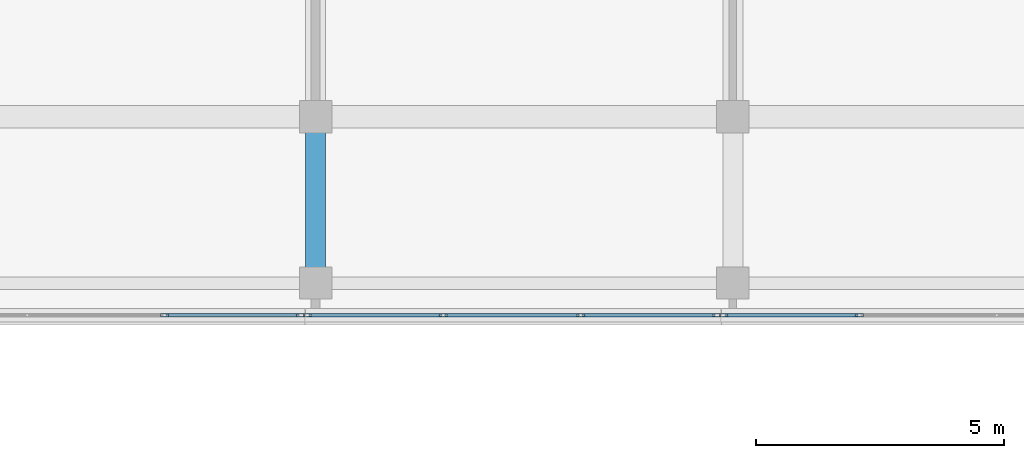
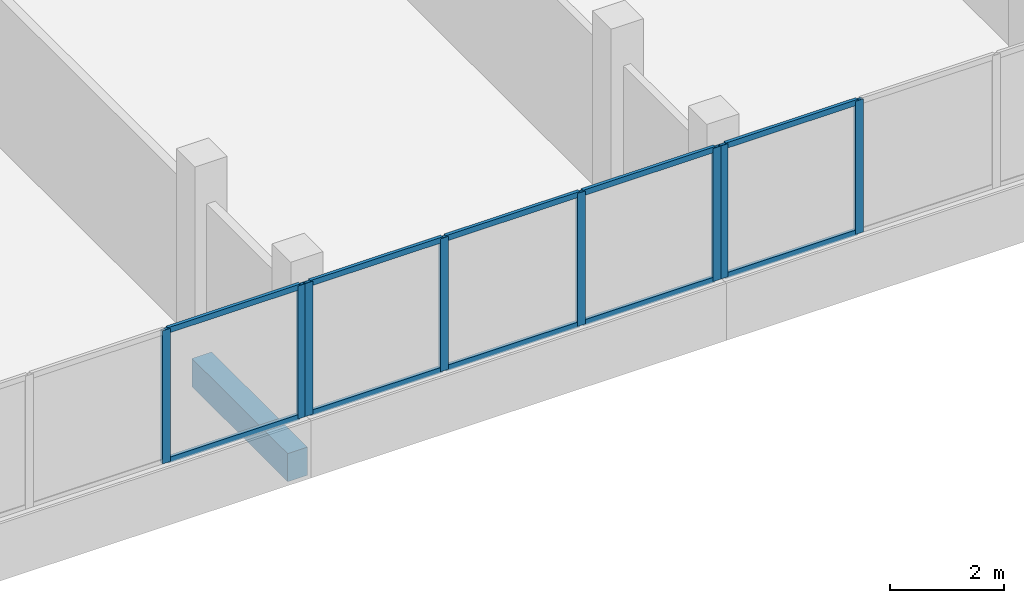
# One storey, part 31 of 76: 18 members, 1 beam, 3 elements without a shape of their own.
"""IFC4 building model written with IfcOpenShell, lengths in metres."""

from ifc_helpers import new_model, si_unit, direction, frame, origin, origin_2d, place, context, subcontext, project, spatial, rectangle, hollow_rectangle, extrude, material, material_profile, profile_set, type_object, element, aggregate, save


model = new_model("IFC4")

# Units and contexts
model_context = context("Model", 3, precision=1e-05, world=origin(), true_north=direction((0.0, 1.0)))
body_context = subcontext(model_context, "Body", "Model", "MODEL_VIEW")
ifc_project = project(units=[si_unit("LENGTHUNIT", "METRE"), si_unit("AREAUNIT", "SQUARE_METRE"), si_unit("VOLUMEUNIT", "CUBIC_METRE"), si_unit("PLANEANGLEUNIT", "RADIAN"), si_unit("MASSUNIT", "GRAM", prefix="KILO")], contexts=[model_context])

# Site, building, storey
site_placement = place(None, origin())
site = spatial("IfcSite", under=ifc_project, at=site_placement, CompositionType="ELEMENT")
building_placement = place(site_placement, origin())
building = spatial("IfcBuilding", under=site, at=building_placement, Name="Selatvlak General Hospital", CompositionType="ELEMENT")
storey_placement = place(building_placement, frame((0.0, 0.0, 27.300048828125)))
storey = spatial("IfcBuildingStorey", under=building, at=storey_placement, Name="L06", CompositionType="ELEMENT", Elevation=27.300048828125)

# Beam
ifc_material_1 = material(Name="Concrete C40/50", Category="concrete")
ifc_material_profile_1 = material_profile(ifc_material_1, rectangle(XDim=0.39990234375, YDim=0.60009765625, at=origin_2d()), Name="RC-BM 400x600")
ifc_profile_set_1 = profile_set([ifc_material_profile_1], Name="Concrete C40/50")
beam_type = type_object("IfcBeamType", Name="BM-G05", PredefinedType="BEAM", material=ifc_profile_set_1)
beam_placement = place(storey_placement, frame((106.800048828125, 88.64990234375, -0.574951171875), z_axis=(0.0, 1.0, 0.0), x_axis=(-1.0, 0.0, 0.0)))
element("IfcBeam", 1, at=beam_placement, inside=storey, type_object=beam_type, Name="Beam BMR-L06-2293", PredefinedType="BEAM", context=body_context, shape_type="SweptSolid", body=[
    extrude(rectangle(XDim=0.39990234375, YDim=0.60009765625, at=origin_2d()), origin(), (0.0, 0.0, 1.0), 3.35009765625),
])

# Curtain wall, members
ifc_material_2 = material(Name="Solar-control Low-E double glazing", Category="glass")
curtain_wall_type_1 = type_object("IfcCurtainWallType", Name="CW-CW-01", PredefinedType="USERDEFINED", material=ifc_material_2)
curtain_wall_1_placement = place(storey_placement, origin())
curtain_wall_1 = element("IfcCurtainWall", 2, at=curtain_wall_1_placement, inside=storey, type_object=curtain_wall_type_1, Name="Glazed facade curtain wall CW-L06-0627", ObjectType="UNITISED CURTAIN WALL", PredefinedType="USERDEFINED")
ifc_material_3 = material(Name="Dark anodised aluminium mullion", Category="aluminium")
ifc_material_profile_2 = material_profile(ifc_material_3, hollow_rectangle(XDim=0.06494140625, YDim=0.159912109375, WallThickness=0.00390625, at=origin_2d()), Name="AL-MUL 65x160x4")
ifc_profile_set_2 = profile_set([ifc_material_profile_2], Name="Dark anodised aluminium mullion")
member_type_1 = type_object("IfcMemberType", Name="CWM-01", PredefinedType="MULLION", material=ifc_profile_set_2)
member_1_placement = place(storey_placement, frame((117.749267578125, 88.0009765625, 0.93994140625), z_axis=(0.0, 0.0, 1.0), x_axis=(0.0, -1.0, 0.0)))
member_1 = element("IfcMember", 3, at=member_1_placement, type_object=member_type_1, Name="CW-01 mullion 3", PredefinedType="MULLION", context=body_context, shape_type="SweptSolid", body=[
    extrude(hollow_rectangle(XDim=0.06494140625, YDim=0.159912109375, WallThickness=0.00390625, at=origin_2d()), origin(), (0.0, 0.0, 1.0), 2.840087890625),
])
member_2_placement = place(storey_placement, frame((115.015380859375, 88.0009765625, 0.93994140625), z_axis=(0.0, 0.0, 1.0), x_axis=(0.0, -1.0, 0.0)))
member_2 = element("IfcMember", 4, at=member_2_placement, type_object=member_type_1, Name="CW-01 mullion 4", PredefinedType="MULLION", context=body_context, shape_type="SweptSolid", body=[
    extrude(hollow_rectangle(XDim=0.06494140625, YDim=0.159912109375, WallThickness=0.00390625, at=origin_2d()), origin(), (0.0, 0.0, 1.0), 2.840087890625),
])

curtain_wall_type_2 = type_object("IfcCurtainWallType", Name="CW-CW-02", PredefinedType="USERDEFINED", material=ifc_material_2)
curtain_wall_2_placement = place(storey_placement, origin())
curtain_wall_2 = element("IfcCurtainWall", 5, at=curtain_wall_2_placement, inside=storey, type_object=curtain_wall_type_2, Name="Glazed facade curtain wall CW-L06-0628", ObjectType="UNITISED CURTAIN WALL", PredefinedType="USERDEFINED")
member_3_placement = place(storey_placement, frame((114.87060546875, 88.0009765625, 0.93994140625), z_axis=(0.0, 0.0, 1.0), x_axis=(0.0, -1.0, 0.0)))
member_3 = element("IfcMember", 6, at=member_3_placement, type_object=member_type_1, Name="CW-02 mullion 1", PredefinedType="MULLION", context=body_context, shape_type="SweptSolid", body=[
    extrude(hollow_rectangle(XDim=0.06494140625, YDim=0.159912109375, WallThickness=0.00390625, at=origin_2d()), origin(), (0.0, 0.0, 1.0), 2.840087890625),
])
member_4_placement = place(storey_placement, frame((112.13671875, 88.0009765625, 0.93994140625), z_axis=(0.0, 0.0, 1.0), x_axis=(0.0, -1.0, 0.0)))
member_4 = element("IfcMember", 7, at=member_4_placement, type_object=member_type_1, Name="CW-02 mullion 2", PredefinedType="MULLION", context=body_context, shape_type="SweptSolid", body=[
    extrude(hollow_rectangle(XDim=0.06494140625, YDim=0.159912109375, WallThickness=0.00390625, at=origin_2d()), origin(), (0.0, 0.0, 1.0), 2.840087890625),
])
member_5_placement = place(storey_placement, frame((109.370361328125, 88.0009765625, 0.93994140625), z_axis=(0.0, 0.0, 1.0), x_axis=(0.0, -1.0, 0.0)))
member_5 = element("IfcMember", 8, at=member_5_placement, type_object=member_type_1, Name="CW-02 mullion 3", PredefinedType="MULLION", context=body_context, shape_type="SweptSolid", body=[
    extrude(hollow_rectangle(XDim=0.06494140625, YDim=0.159912109375, WallThickness=0.00390625, at=origin_2d()), origin(), (0.0, 0.0, 1.0), 2.840087890625),
])
member_6_placement = place(storey_placement, frame((106.636474609375, 88.0009765625, 0.93994140625), z_axis=(0.0, 0.0, 1.0), x_axis=(0.0, -1.0, 0.0)))
member_6 = element("IfcMember", 9, at=member_6_placement, type_object=member_type_1, Name="CW-02 mullion 4", PredefinedType="MULLION", context=body_context, shape_type="SweptSolid", body=[
    extrude(hollow_rectangle(XDim=0.06494140625, YDim=0.159912109375, WallThickness=0.00390625, at=origin_2d()), origin(), (0.0, 0.0, 1.0), 2.840087890625),
])

curtain_wall_3_placement = place(storey_placement, origin())
curtain_wall_3 = element("IfcCurtainWall", 10, at=curtain_wall_3_placement, inside=storey, type_object=curtain_wall_type_1, Name="Glazed facade curtain wall CW-L06-0629", ObjectType="UNITISED CURTAIN WALL", PredefinedType="USERDEFINED")
member_7_placement = place(storey_placement, frame((106.491455078125, 88.0009765625, 0.93994140625), z_axis=(0.0, 0.0, 1.0), x_axis=(0.00012051097, -0.999999992739, 0.0)))
member_7 = element("IfcMember", 11, at=member_7_placement, type_object=member_type_1, Name="CW-01 mullion 1", PredefinedType="MULLION", context=body_context, shape_type="SweptSolid", body=[
    extrude(hollow_rectangle(XDim=0.06494140625, YDim=0.159912109375, WallThickness=0.00390625, at=origin_2d()), origin(), (0.0, 0.0, 1.0), 2.840087890625),
])
member_8_placement = place(storey_placement, frame((103.758056640625, 88.000732421875, 0.93994140625), z_axis=(0.0, 0.0, 1.0), x_axis=(0.00012051097, -0.999999992739, 0.0)))
member_8 = element("IfcMember", 12, at=member_8_placement, type_object=member_type_1, Name="CW-01 mullion 2", PredefinedType="MULLION", context=body_context, shape_type="SweptSolid", body=[
    extrude(hollow_rectangle(XDim=0.06494140625, YDim=0.159912109375, WallThickness=0.00390625, at=origin_2d()), origin(), (0.0, 0.0, 1.0), 2.840087890625),
])

# Member
ifc_material_profile_3 = material_profile(ifc_material_3, hollow_rectangle(XDim=0.06494140625, YDim=0.1201171875, WallThickness=0.00390625, at=origin_2d()), Name="AL-TRN 65x120x4")
ifc_profile_set_3 = profile_set([ifc_material_profile_3], Name="Dark anodised aluminium mullion")
member_type_2 = type_object("IfcMemberType", Name="CWT-01", PredefinedType="USERDEFINED", material=ifc_profile_set_3)
member_9_placement = place(storey_placement, frame((117.716796875, 88.0009765625, 0.972412109375), z_axis=(-1.0, 0.0, 0.0), x_axis=(0.0, -1.0, 0.0)))
member_9 = element("IfcMember", 13, at=member_9_placement, type_object=member_type_2, Name="CW-01 transom 3.1", ObjectType="TRANSOM", PredefinedType="USERDEFINED", context=body_context, shape_type="SweptSolid", body=[
    extrude(hollow_rectangle(XDim=0.06494140625, YDim=0.1201171875, WallThickness=0.00390625, at=origin_2d()), origin(), (0.0, 0.0, 1.0), 2.668701171875),
])

member_10_placement = place(storey_placement, frame((117.716796875, 88.0009765625, 3.74755859375), z_axis=(-1.0, 0.0, 0.0), x_axis=(0.0, -1.0, 0.0)))
member_10 = element("IfcMember", 14, at=member_10_placement, type_object=member_type_2, Name="CW-01 transom 3.2", ObjectType="TRANSOM", PredefinedType="USERDEFINED", context=body_context, shape_type="SweptSolid", body=[
    extrude(hollow_rectangle(XDim=0.06494140625, YDim=0.1201171875, WallThickness=0.00390625, at=origin_2d()), origin(), (0.0, 0.0, 1.0), 2.668701171875),
])

aggregate(curtain_wall_1, [member_1, member_2, member_9, member_10])

member_11_placement = place(storey_placement, frame((114.837890625, 88.0009765625, 0.972412109375), z_axis=(-1.0, 0.0, 0.0), x_axis=(0.0, -1.0, 0.0)))
member_11 = element("IfcMember", 15, at=member_11_placement, type_object=member_type_2, Name="CW-02 transom 1.1", ObjectType="TRANSOM", PredefinedType="USERDEFINED", context=body_context, shape_type="SweptSolid", body=[
    extrude(hollow_rectangle(XDim=0.06494140625, YDim=0.1201171875, WallThickness=0.00390625, at=origin_2d()), origin(), (0.0, 0.0, 1.0), 2.668701171875),
])

member_12_placement = place(storey_placement, frame((114.837890625, 88.0009765625, 3.74755859375), z_axis=(-1.0, 0.0, 0.0), x_axis=(0.0, -1.0, 0.0)))
member_12 = element("IfcMember", 16, at=member_12_placement, type_object=member_type_2, Name="CW-02 transom 1.2", ObjectType="TRANSOM", PredefinedType="USERDEFINED", context=body_context, shape_type="SweptSolid", body=[
    extrude(hollow_rectangle(XDim=0.06494140625, YDim=0.1201171875, WallThickness=0.00390625, at=origin_2d()), origin(), (0.0, 0.0, 1.0), 2.668701171875),
])

member_13_placement = place(storey_placement, frame((112.104248046875, 88.0009765625, 0.972412109375), z_axis=(-1.0, 0.0, 0.0), x_axis=(0.0, -1.0, 0.0)))
member_13 = element("IfcMember", 17, at=member_13_placement, type_object=member_type_2, Name="CW-02 transom 2.1", ObjectType="TRANSOM", PredefinedType="USERDEFINED", context=body_context, shape_type="SweptSolid", body=[
    extrude(hollow_rectangle(XDim=0.06494140625, YDim=0.1201171875, WallThickness=0.00390625, at=origin_2d()), origin(), (0.0, 0.0, 1.0), 2.701416015625),
])

member_14_placement = place(storey_placement, frame((112.104248046875, 88.0009765625, 3.74755859375), z_axis=(-1.0, 0.0, 0.0), x_axis=(0.0, -1.0, 0.0)))
member_14 = element("IfcMember", 18, at=member_14_placement, type_object=member_type_2, Name="CW-02 transom 2.2", ObjectType="TRANSOM", PredefinedType="USERDEFINED", context=body_context, shape_type="SweptSolid", body=[
    extrude(hollow_rectangle(XDim=0.06494140625, YDim=0.1201171875, WallThickness=0.00390625, at=origin_2d()), origin(), (0.0, 0.0, 1.0), 2.701416015625),
])

member_15_placement = place(storey_placement, frame((109.337890625, 88.0009765625, 0.972412109375), z_axis=(-1.0, 0.0, 0.0), x_axis=(0.0, -1.0, 0.0)))
member_15 = element("IfcMember", 19, at=member_15_placement, type_object=member_type_2, Name="CW-02 transom 3.1", ObjectType="TRANSOM", PredefinedType="USERDEFINED", context=body_context, shape_type="SweptSolid", body=[
    extrude(hollow_rectangle(XDim=0.06494140625, YDim=0.1201171875, WallThickness=0.00390625, at=origin_2d()), origin(), (0.0, 0.0, 1.0), 2.6689453125),
])

member_16_placement = place(storey_placement, frame((109.337890625, 88.0009765625, 3.74755859375), z_axis=(-1.0, 0.0, 0.0), x_axis=(0.0, -1.0, 0.0)))
member_16 = element("IfcMember", 20, at=member_16_placement, type_object=member_type_2, Name="CW-02 transom 3.2", ObjectType="TRANSOM", PredefinedType="USERDEFINED", context=body_context, shape_type="SweptSolid", body=[
    extrude(hollow_rectangle(XDim=0.06494140625, YDim=0.1201171875, WallThickness=0.00390625, at=origin_2d()), origin(), (0.0, 0.0, 1.0), 2.6689453125),
])

aggregate(curtain_wall_2, [member_3, member_4, member_5, member_6, member_11, member_12, member_13, member_14, member_15, member_16])

member_17_placement = place(storey_placement, frame((106.458984375, 88.0009765625, 0.972412109375), z_axis=(-0.999999995815, -9.1491308e-05, 0.0), x_axis=(9.1491308e-05, -0.999999995815, 0.0)))
member_17 = element("IfcMember", 21, at=member_17_placement, type_object=member_type_2, Name="CW-01 transom 1.1", ObjectType="TRANSOM", PredefinedType="USERDEFINED", context=body_context, shape_type="SweptSolid", body=[
    extrude(hollow_rectangle(XDim=0.06494140625, YDim=0.1201171875, WallThickness=0.00390625, at=origin_2d()), origin(), (0.0, 0.0, 1.0), 2.66845703125),
])

member_18_placement = place(storey_placement, frame((106.458984375, 88.0009765625, 3.74755859375), z_axis=(-0.999999995815, -9.1491308e-05, 0.0), x_axis=(9.1491308e-05, -0.999999995815, 0.0)))
member_18 = element("IfcMember", 22, at=member_18_placement, type_object=member_type_2, Name="CW-01 transom 1.2", ObjectType="TRANSOM", PredefinedType="USERDEFINED", context=body_context, shape_type="SweptSolid", body=[
    extrude(hollow_rectangle(XDim=0.06494140625, YDim=0.1201171875, WallThickness=0.00390625, at=origin_2d()), origin(), (0.0, 0.0, 1.0), 2.66845703125),
])

aggregate(curtain_wall_3, [member_7, member_8, member_17, member_18])

save(model, "model.ifc")
